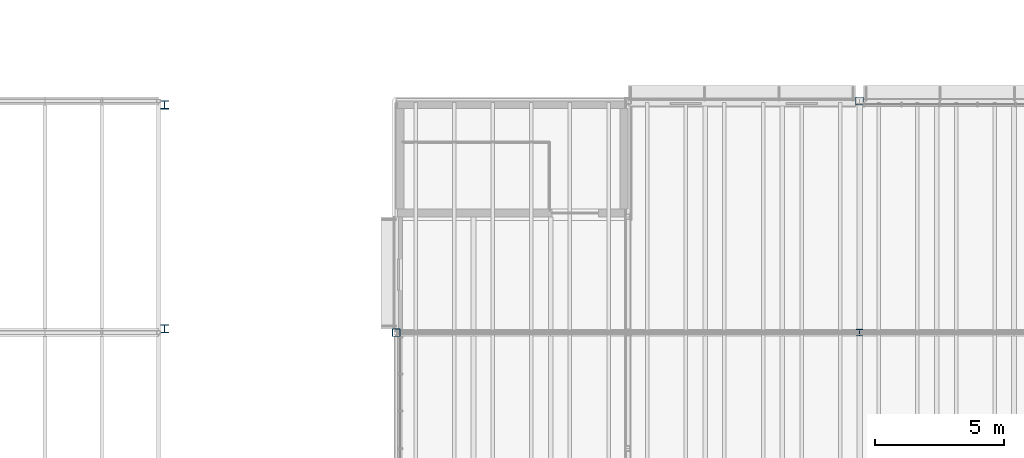
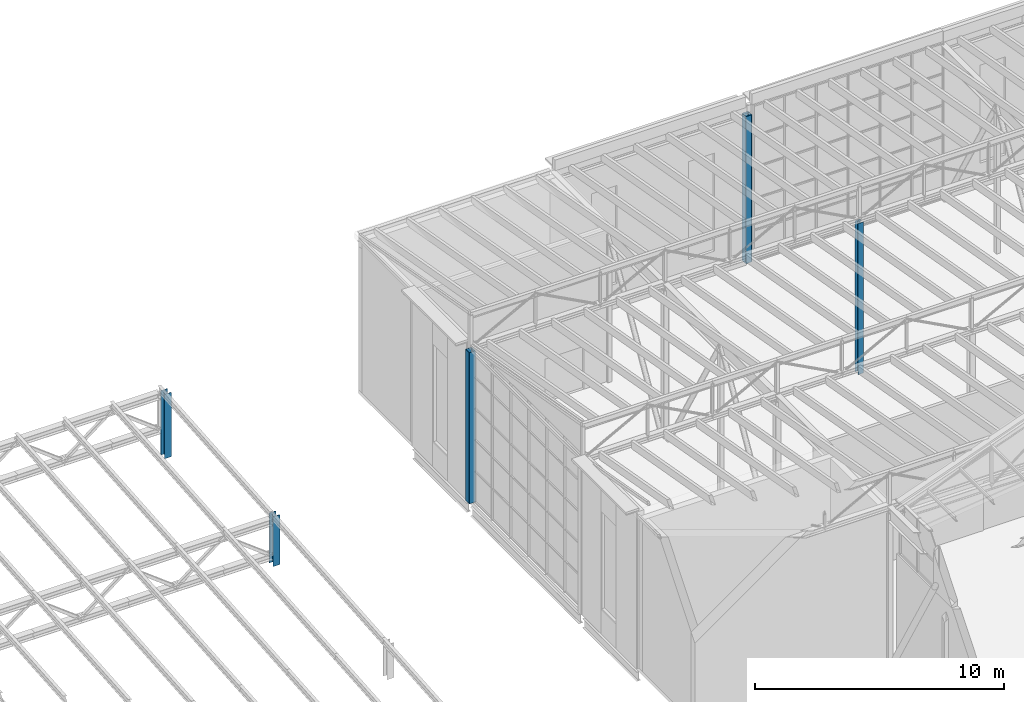
# One storey, part 3 of 90: 5 columns.
"""IFC4 building model written with IfcOpenShell, lengths in metres."""

from ifc_helpers import new_model, si_unit, direction, frame, origin, origin_2d, place, context, subcontext, project, spatial, hollow_rectangle, i_section, extrude, material, material_profile, profile_set, type_object, element, save


model = new_model("IFC4")

# Units and contexts
model_context = context("Model", 3, precision=1e-05, world=origin(), true_north=direction((0.0, 1.0)))
body_context = subcontext(model_context, "Body", "Model", "MODEL_VIEW")
ifc_project = project(units=[si_unit("LENGTHUNIT", "METRE"), si_unit("AREAUNIT", "SQUARE_METRE"), si_unit("VOLUMEUNIT", "CUBIC_METRE"), si_unit("PLANEANGLEUNIT", "RADIAN"), si_unit("MASSUNIT", "GRAM", prefix="KILO")], contexts=[model_context])

# Site, building, storey
site_placement = place(None, origin())
site = spatial("IfcSite", under=ifc_project, at=site_placement, CompositionType="ELEMENT")
building_placement = place(site_placement, origin())
building = spatial("IfcBuilding", under=site, at=building_placement, Name="Halyard Row Museum", CompositionType="ELEMENT")
storey_placement = place(building_placement, frame((0.0, 0.0, 13.39990234375)))
storey = spatial("IfcBuildingStorey", under=building, at=storey_placement, Name="L03", CompositionType="ELEMENT", Elevation=13.39990234375)

# Columns
ifc_material_1 = material(Name="Steel Grade 300", Category="steel")
ifc_material_profile_1 = material_profile(ifc_material_1, i_section(OverallWidth=0.25390625, OverallDepth=0.25390625, WebThickness=0.008544921875, FlangeThickness=0.01416015625, FilletRadius=0.013916015625, at=origin_2d()), Name="250UC72.9")
ifc_profile_set_1 = profile_set([ifc_material_profile_1], Name="Steel Grade 300")
column_type_1 = type_object("IfcColumnType", Name="Column 250UC72.9 interior", PredefinedType="COLUMN", material=ifc_profile_set_1)
column_1_placement = place(storey_placement, frame((45.0, 36.0, 0.0), z_axis=(0.0, 0.0, 1.0), x_axis=(1.0, 0.0, 0.0)))
element("IfcColumn", 1, at=column_1_placement, inside=storey, type_object=column_type_1, Name="Column 6E L03", PredefinedType="COLUMN", context=body_context, shape_type="SweptSolid", body=[
    extrude(i_section(OverallWidth=0.25390625, OverallDepth=0.25390625, WebThickness=0.008544921875, FlangeThickness=0.01416015625, FilletRadius=0.013916015625, at=origin_2d()), origin(), (0.0, 0.0, 1.0), 7.400146484375),
])
ifc_material_2 = material(Name="Steel Grade C350L0", Category="steel")
ifc_material_profile_2 = material_profile(ifc_material_2, hollow_rectangle(XDim=0.300048828125, YDim=0.300048828125, WallThickness=0.010009765625, InnerFilletRadius=0.014892578125, OuterFilletRadius=0.02490234375, at=origin_2d()), Name="300x300x10.0SHS")
ifc_profile_set_2 = profile_set([ifc_material_profile_2], Name="Steel Grade C350L0")
column_type_2 = type_object("IfcColumnType", Name="Column 300x300x10.0SHS edge", PredefinedType="COLUMN", material=ifc_profile_set_2)
column_2_placement = place(storey_placement, frame((27.0, 36.0, 0.0), z_axis=(0.0, 0.0, 1.0), x_axis=(1.0, 0.0, 0.0)))
element("IfcColumn", 2, at=column_2_placement, inside=storey, type_object=column_type_2, Name="Column 4E L03", PredefinedType="COLUMN", context=body_context, shape_type="SweptSolid", body=[
    extrude(hollow_rectangle(XDim=0.300048828125, YDim=0.300048828125, WallThickness=0.010009765625, InnerFilletRadius=0.014892578125, OuterFilletRadius=0.02490234375, at=origin_2d()), origin(), (0.0, 0.0, 1.0), 7.400146484375),
])
column_3_placement = place(storey_placement, frame((45.0, 45.0, 0.0), z_axis=(0.0, 0.0, 1.0), x_axis=(1.0, 0.0, 0.0)))
element("IfcColumn", 3, at=column_3_placement, inside=storey, type_object=column_type_2, Name="Column 6F L03", PredefinedType="COLUMN", context=body_context, shape_type="SweptSolid", body=[
    extrude(hollow_rectangle(XDim=0.300048828125, YDim=0.300048828125, WallThickness=0.010009765625, InnerFilletRadius=0.014892578125, OuterFilletRadius=0.02490234375, at=origin_2d()), origin(), (0.0, 0.0, 1.0), 7.2001953125),
])
ifc_material_3 = material(Name="Steel Grade 300", Category="steel")
ifc_material_profile_3 = material_profile(ifc_material_3, i_section(OverallWidth=0.31103515625, OverallDepth=0.3271484375, WebThickness=0.015625, FlangeThickness=0.02490234375, FilletRadius=0.0166015625, at=origin_2d()), Name="310UC158")
ifc_profile_set_3 = profile_set([ifc_material_profile_3], Name="Steel Grade 300")
column_type_3 = type_object("IfcColumnType", Name="Hall frame column 310UC158", PredefinedType="COLUMN", material=ifc_profile_set_3)
column_4_placement = place(storey_placement, frame((18.0, 36.14990234375, 0.0), z_axis=(0.0, 0.0, 1.0), x_axis=(1.0, 0.0, 0.0)))
element("IfcColumn", 4, at=column_4_placement, inside=storey, type_object=column_type_3, Name="Hall frame column L03 y 36", PredefinedType="COLUMN", context=body_context, shape_type="SweptSolid", body=[
    extrude(i_section(OverallWidth=0.31103515625, OverallDepth=0.3271484375, WebThickness=0.015625, FlangeThickness=0.02490234375, FilletRadius=0.0166015625, at=origin_2d()), origin(), (0.0, 0.0, 1.0), 2.4306640625),
])
column_5_placement = place(storey_placement, frame((18.0, 44.85009765625, 0.0), z_axis=(0.0, 0.0, 1.0), x_axis=(1.0, 0.0, 0.0)))
element("IfcColumn", 5, at=column_5_placement, inside=storey, type_object=column_type_3, Name="Hall frame column L03 y 45", PredefinedType="COLUMN", context=body_context, shape_type="SweptSolid", body=[
    extrude(i_section(OverallWidth=0.31103515625, OverallDepth=0.3271484375, WebThickness=0.015625, FlangeThickness=0.02490234375, FilletRadius=0.0166015625, at=origin_2d()), origin(), (0.0, 0.0, 1.0), 3.150634765625),
])

save(model, "model.ifc")
